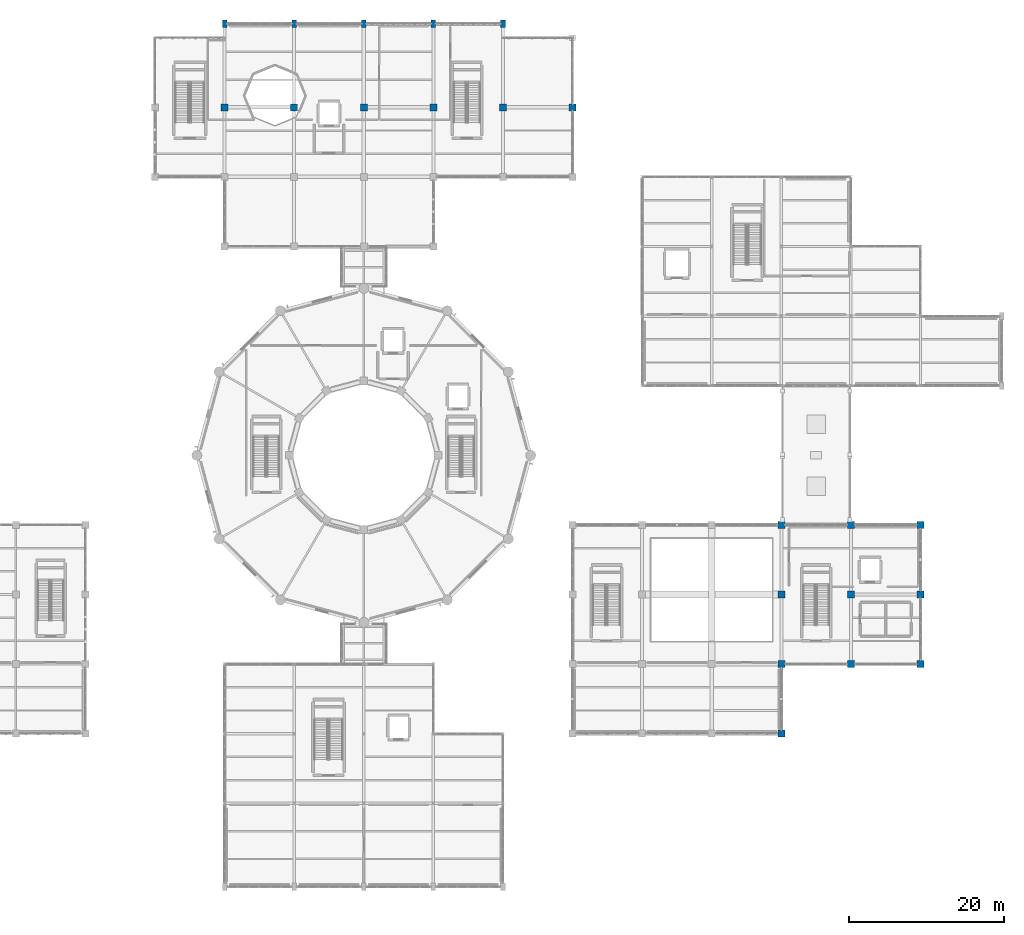
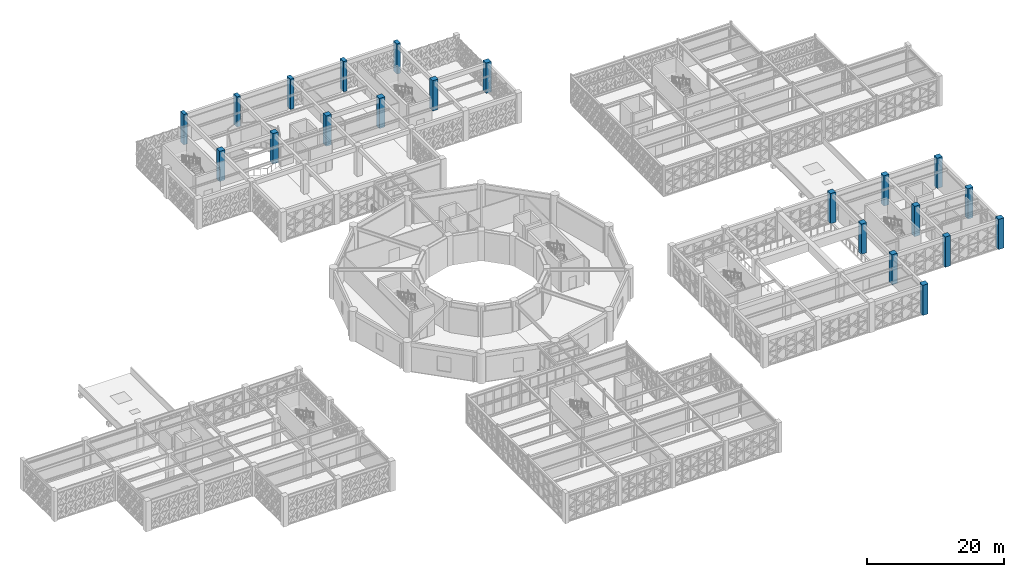
# One storey, part 7 of 155: 21 columns.
"""IFC4 building model written with IfcOpenShell, lengths in metres."""

from ifc_helpers import new_model, si_unit, direction, frame, origin, origin_2d, place, context, subcontext, project, spatial, rectangle, extrude, material, material_profile, profile_set, type_object, element, save


model = new_model("IFC4")

# Units and contexts
model_context = context("Model", 3, precision=1e-05, world=origin(), true_north=direction((0.0, 1.0)))
body_context = subcontext(model_context, "Body", "Model", "MODEL_VIEW")
ifc_project = project(units=[si_unit("LENGTHUNIT", "METRE"), si_unit("AREAUNIT", "SQUARE_METRE"), si_unit("VOLUMEUNIT", "CUBIC_METRE"), si_unit("PLANEANGLEUNIT", "RADIAN"), si_unit("MASSUNIT", "GRAM", prefix="KILO")], contexts=[model_context])

# Site, building, storey
site_placement = place(None, origin())
site = spatial("IfcSite", under=ifc_project, at=site_placement, CompositionType="ELEMENT")
building_placement = place(site_placement, origin())
building = spatial("IfcBuilding", under=site, at=building_placement, Name="Haizhuo Lancet Aquarium", CompositionType="ELEMENT")
storey_placement = place(building_placement, frame((0.0, 0.0, 10.800048828125)))
storey = spatial("IfcBuildingStorey", under=building, at=storey_placement, Name="L02", CompositionType="ELEMENT", Elevation=10.800048828125)

# Columns
ifc_material_1 = material(Name="Concrete C40/50", Category="concrete")
ifc_material_profile_1 = material_profile(ifc_material_1, rectangle(XDim=0.89990234375, YDim=0.89990234375, at=origin_2d()), Name="RC-COL 900x900")
ifc_profile_set_1 = profile_set([ifc_material_profile_1], Name="Concrete C40/50")
column_type_1 = type_object("IfcColumnType", Name="COL-RC-900", PredefinedType="COLUMN", material=ifc_profile_set_1)
for number, where, z_axis, x_axis, name in (
    (1, (54.0, -36.0, 0.0), (0.0, 0.0, 1.0), (1.0, 0.0, 0.0), "L02 column V3-COL-054"),
    (2, (54.0, -27.0, 0.0), (0.0, 0.0, 1.0), (1.0, 0.0, 0.0), "L02 column V3-COL-055"),
    (3, (54.0, -18.0, 0.0), (0.0, 0.0, 1.0), (1.0, 0.0, 0.0), "L02 column V3-COL-056"),
    (4, (54.0, -9.0, 0.0), (0.0, 0.0, 1.0), (1.0, 0.0, 0.0), "L02 column V3-COL-057"),
    (5, (63.0, -27.0, 0.0), (0.0, 0.0, 1.0), (1.0, 0.0, 0.0), "L02 column V3-COL-058"),
    (6, (63.0, -18.0, 0.0), (0.0, 0.0, 1.0), (1.0, 0.0, 0.0), "L02 column V3-COL-059"),
    (7, (63.0, -9.0, 0.0), (0.0, 0.0, 1.0), (1.0, 0.0, 0.0), "L02 column V3-COL-060"),
    (8, (72.0, -27.0, 0.0), (0.0, 0.0, 1.0), (1.0, 0.0, 0.0), "L02 column V3-COL-061"),
    (9, (72.0, -18.0, 0.0), (0.0, 0.0, 1.0), (1.0, 0.0, 0.0), "L02 column V3-COL-062"),
    (10, (72.0, -9.0, 0.0), (0.0, 0.0, 1.0), (1.0, 0.0, 0.0), "L02 column V3-COL-063"),
    (11, (-18.0, 45.0, 0.0), (0.0, 0.0, 1.0), (1.0, 0.0, 0.0), "L02 column V5-COL-089"),
    (12, (-9.0, 45.0, 0.0), (0.0, 0.0, 1.0), (1.0, 0.0, 0.0), "L02 column V5-COL-093"),
    (13, (0.0, 45.0, 0.0), (0.0, 0.0, 1.0), (1.0, 0.0, 0.0), "L02 column V5-COL-097"),
    (14, (9.0, 45.0, 0.0), (0.0, 0.0, 1.0), (1.0, 0.0, 0.0), "L02 column V5-COL-101"),
    (15, (18.0, 45.0, 0.0), (0.0, 0.0, 1.0), (1.0, 0.0, 0.0), "L02 column V5-COL-104"),
    (16, (27.0, 45.0, 0.0), (0.0, 0.0, 1.0), (1.0, 0.0, 0.0), "L02 column V5-COL-107"),
):
    element("IfcColumn", number, at=place(storey_placement, frame(where, z_axis=z_axis, x_axis=x_axis)), inside=storey, type_object=column_type_1, Name=name, PredefinedType="COLUMN", context=body_context, shape_type="SweptSolid", body=[
        extrude(rectangle(XDim=0.89990234375, YDim=0.89990234375, at=origin_2d()), origin(), (0.0, 0.0, 1.0), 5.39990234375),
    ])
ifc_material_2 = material(Name="Concrete C45/55", Category="concrete")
ifc_material_profile_2 = material_profile(ifc_material_2, rectangle(XDim=0.60009765625, YDim=1.0, at=origin_2d()), Name="RC-PIL 600x1000")
ifc_profile_set_2 = profile_set([ifc_material_profile_2], Name="Concrete C45/55")
column_type_2 = type_object("IfcColumnType", Name="PIL-RC-600x1000", PredefinedType="PILASTER", material=ifc_profile_set_2)
for number, where, z_axis, x_axis, name in (
    (17, (-18.0, 55.800048828125, 0.0), (0.0, 0.0, 1.0), (1.0, 0.0, 0.0), "L02 column V5-COL-090"),
    (18, (-9.0, 55.800048828125, 0.0), (0.0, 0.0, 1.0), (1.0, 0.0, 0.0), "L02 column V5-COL-094"),
    (19, (0.0, 55.800048828125, 0.0), (0.0, 0.0, 1.0), (1.0, 0.0, 0.0), "L02 column V5-COL-098"),
    (20, (9.0, 55.800048828125, 0.0), (0.0, 0.0, 1.0), (1.0, 0.0, 0.0), "L02 column V5-COL-102"),
    (21, (18.0, 55.800048828125, 0.0), (0.0, 0.0, 1.0), (1.0, 0.0, 0.0), "L02 column V5-COL-105"),
):
    element("IfcColumn", number, at=place(storey_placement, frame(where, z_axis=z_axis, x_axis=x_axis)), inside=storey, type_object=column_type_2, Name=name, PredefinedType="PILASTER", context=body_context, shape_type="SweptSolid", body=[
        extrude(rectangle(XDim=0.60009765625, YDim=1.0, at=origin_2d()), origin(), (0.0, 0.0, 1.0), 5.39990234375),
    ])

save(model, "model.ifc")
